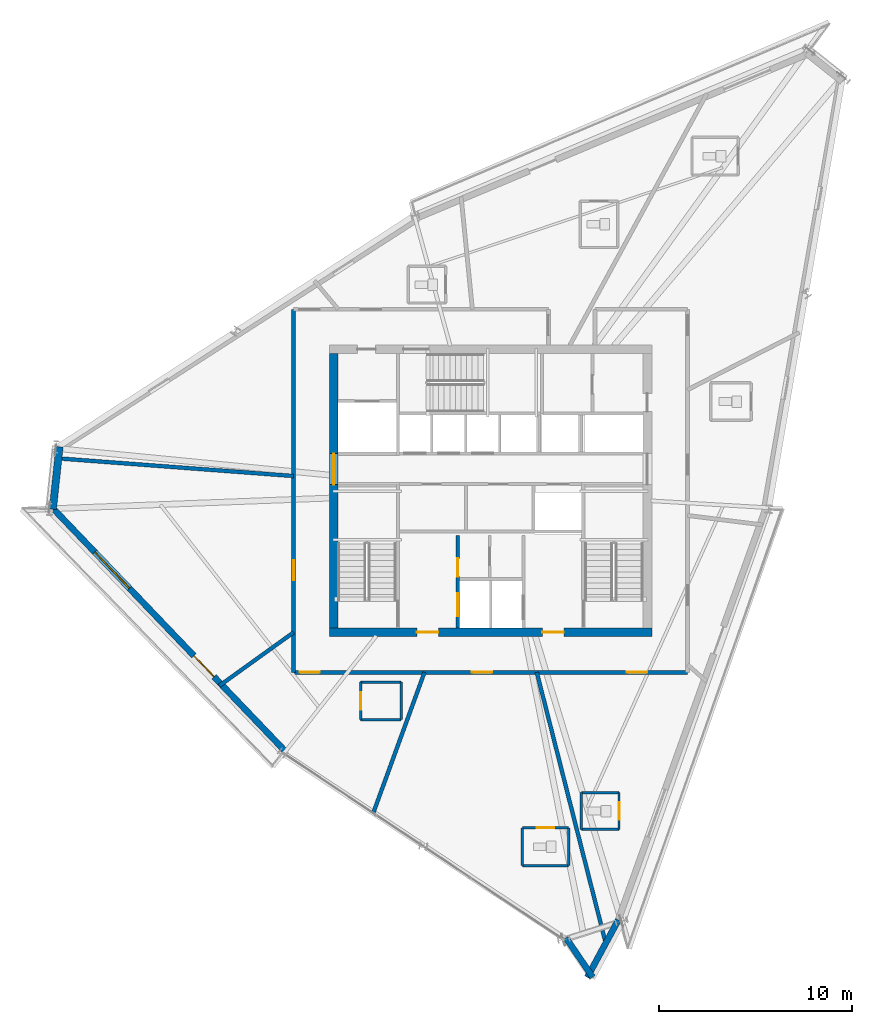
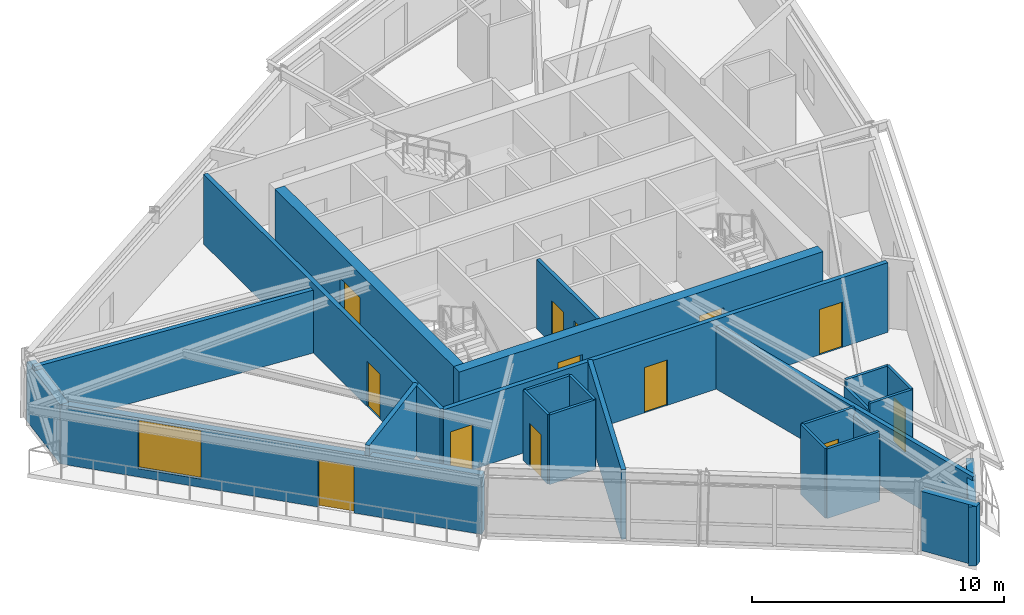
# One storey, part 8 of 15: 25 walls, 13 doors, 1 window, 14 openings.
"""IFC4 building model written with IfcOpenShell, lengths in metres."""

from ifc_helpers import new_model, si_unit, direction, frame, frame_2d, origin, place, context, subcontext, project, spatial, rectangle, extrude, source, transform, mapped, material, layer, layer_set, type_object, type_shapes, element, fill, save


model = new_model("IFC4")

# Units and contexts
model_context = context("Model", 3, precision=1e-05, world=origin(), true_north=direction((0.0, 1.0)))
body_context = subcontext(model_context, "Body", "Model", "MODEL_VIEW")
ifc_project = project(units=[si_unit("LENGTHUNIT", "METRE"), si_unit("AREAUNIT", "SQUARE_METRE"), si_unit("VOLUMEUNIT", "CUBIC_METRE"), si_unit("PLANEANGLEUNIT", "RADIAN"), si_unit("MASSUNIT", "GRAM", prefix="KILO")], contexts=[model_context])

# Site, building, storey
site_placement = place(None, origin())
site = spatial("IfcSite", under=ifc_project, at=site_placement, CompositionType="ELEMENT")
building_placement = place(site_placement, origin())
building = spatial("IfcBuilding", under=site, at=building_placement, Name="Olszyna Solenne Hotel", CompositionType="ELEMENT")
storey_placement = place(building_placement, frame((0.0, 0.0, 245.300048828125)))
storey = spatial("IfcBuildingStorey", under=building, at=storey_placement, Name="L65", CompositionType="ELEMENT", Elevation=245.300048828125)

# Wall, openings, doors
ifc_material_1 = material(Name="Concrete C50/60", Category="concrete")
ifc_layer_1 = layer(ifc_material_1, 0.449951171875, Name="Concrete C50/60")
ifc_layer_set_1 = layer_set([ifc_layer_1], Name="Concrete C50/60")
wall_type_1 = type_object("IfcWallType", Name="WL-CR450", PredefinedType="SHEAR", material=ifc_layer_set_1)
wall_1_placement = place(storey_placement, frame((46.35009765625, 19.27490234375, 0.0), z_axis=(0.0, 0.0, 1.0), x_axis=(-1.0, 0.0, 0.0)))
wall_1 = element("IfcWall", 1, at=wall_1_placement, inside=storey, type_object=wall_type_1, Name="Core shear wall WL-CR450 CRW-L65-S", PredefinedType="SHEAR", context=body_context, shape_type="SweptSolid", body=[
    extrude(rectangle(XDim=16.7001953125, YDim=0.449951171875, at=frame_2d((8.35009765625, 0.0))), origin(), (0.0, 0.0, 1.0), 3.3798828125),
])
opening_1_placement = place(wall_1_placement, frame((4.550048828125, 0.0, 0.0)))
opening_1 = element("IfcOpeningElement", 2, at=opening_1_placement, cuts=wall_1, Name="Opening FL-L65-1", PredefinedType="OPENING", context=body_context, shape_type="SweptSolid", body=[
    extrude(rectangle(XDim=1.1201171875, YDim=2.25, at=frame_2d((0.56005859375, 1.125))), frame((0.0, 0.23486328125, 0.0), z_axis=(0.0, -1.0, 0.0), x_axis=(1.0, 0.0, 0.0)), (0.0, 0.0, 1.0), 0.469970703125),
])
opening_2_placement = place(wall_1_placement, frame((11.050048828125, 0.0, 0.0)))
opening_2 = element("IfcOpeningElement", 3, at=opening_2_placement, cuts=wall_1, Name="Opening FL-L65-2", PredefinedType="OPENING", context=body_context, shape_type="SweptSolid", body=[
    extrude(rectangle(XDim=1.1201171875, YDim=2.25, at=frame_2d((0.56005859375, 1.125))), frame((0.0, 0.23486328125, 0.0), z_axis=(0.0, -1.0, 0.0), x_axis=(1.0, 0.0, 0.0)), (0.0, 0.0, 1.0), 0.469970703125),
])
ifc_material_2 = material(Name="Steel S355J2", Category="steel")
door_type_1 = type_object("IfcDoorType", Name="DR-FL1", OperationType="NOTDEFINED", PredefinedType="DOOR", material=ifc_material_2)
shared_shape_1 = source(origin(), body_context, "Body", "SweptSolid", [
    extrude(rectangle(XDim=1.1201171875, YDim=2.25, at=frame_2d((0.56005859375, 1.125))), frame((0.0, 0.02490234375, 0.0), z_axis=(0.0, -1.0, 0.0), x_axis=(1.0, 0.0, 0.0)), (0.0, 0.0, 1.0), 0.050048828125),
])
type_shapes(door_type_1, [shared_shape_1])
door_1_placement = place(opening_1_placement, origin())
door_1 = element("IfcDoor", 4, at=door_1_placement, inside=storey, type_object=door_type_1, Name="Firefighting lift lobby smoke door FL-L65-1", OperationType="SINGLE_SWING_LEFT", OverallHeight=2.25, OverallWidth=1.1201171875, PredefinedType="DOOR", context=body_context, shape_type="MappedRepresentation", body=[
    mapped(shared_shape_1, transform((0.0, 0.0, 0.0), x_axis=(1.0, 0.0, 0.0), y_axis=(0.0, 1.0, 0.0), z_axis=(0.0, 0.0, 1.0), scale=1.0)),
])
fill(opening_1, door_1)
door_2_placement = place(opening_2_placement, origin())
door_2 = element("IfcDoor", 5, at=door_2_placement, inside=storey, type_object=door_type_1, Name="Firefighting lift lobby smoke door FL-L65-2", OperationType="SINGLE_SWING_RIGHT", OverallHeight=2.25, OverallWidth=1.1201171875, PredefinedType="DOOR", context=body_context, shape_type="MappedRepresentation", body=[
    mapped(shared_shape_1, transform((0.0, 0.0, 0.0), x_axis=(1.0, 0.0, 0.0), y_axis=(0.0, 1.0, 0.0), z_axis=(0.0, 0.0, 1.0), scale=1.0)),
])
fill(opening_2, door_2)

# Wall, opening, door
wall_2_placement = place(storey_placement, frame((29.875, 19.5, 0.0), z_axis=(0.0, 0.0, 1.0), x_axis=(0.0, 1.0, 0.0)))
wall_2 = element("IfcWall", 6, at=wall_2_placement, inside=storey, type_object=wall_type_1, Name="Core shear wall WL-CR450 CRW-L65-W", PredefinedType="SHEAR", context=body_context, shape_type="SweptSolid", body=[
    extrude(rectangle(XDim=14.199951171875, YDim=0.449951171875, at=frame_2d((7.10009765625, 0.0))), origin(), (0.0, 0.0, 1.0), 3.3798828125),
])
opening_3_placement = place(wall_2_placement, frame((7.419921875, 0.0, 0.0)))
opening_3 = element("IfcOpeningElement", 7, at=opening_3_placement, cuts=wall_2, Name="Opening LHD-L65-W", PredefinedType="OPENING", context=body_context, shape_type="SweptSolid", body=[
    extrude(rectangle(XDim=1.60009765625, YDim=2.199951171875, at=frame_2d((0.800048828125, 1.10009765625))), frame((0.0, 0.23486328125, 0.0), z_axis=(0.0, -1.0, 0.0), x_axis=(1.0, 0.0, 0.0)), (0.0, 0.0, 1.0), 0.469970703125),
])
ifc_material_3 = material(Name="Timber hardwood", Category="wood")
door_type_2 = type_object("IfcDoorType", Name="DR-CR1", OperationType="DOUBLE_DOOR_SINGLE_SWING", PredefinedType="DOOR", material=ifc_material_3)
shared_shape_2 = source(origin(), body_context, "Body", "SweptSolid", [
    extrude(rectangle(XDim=1.60009765625, YDim=2.199951171875, at=frame_2d((0.800048828125, 1.10009765625))), frame((0.0, 0.02490234375, 0.0), z_axis=(0.0, -1.0, 0.0), x_axis=(1.0, 0.0, 0.0)), (0.0, 0.0, 1.0), 0.050048828125),
])
type_shapes(door_type_2, [shared_shape_2])
door_3_placement = place(opening_3_placement, origin())
door_3 = element("IfcDoor", 8, at=door_3_placement, inside=storey, type_object=door_type_2, Name="Passenger lift lobby West fire door LHD-L65-W", OperationType="DOUBLE_DOOR_SINGLE_SWING", OverallHeight=2.199951171875, OverallWidth=1.60009765625, PredefinedType="DOOR", context=body_context, shape_type="MappedRepresentation", body=[
    mapped(shared_shape_2, transform((0.0, 0.0, 0.0), x_axis=(1.0, 0.0, 0.0), y_axis=(0.0, 1.0, 0.0), z_axis=(0.0, 0.0, 1.0), scale=1.0)),
])
fill(opening_3, door_3)

# Walls
ifc_material_4 = material(Name="Precast concrete C45/55", Category="concrete")
ifc_layer_2 = layer(ifc_material_4, 0.320068359375, Name="Precast concrete C45/55")
ifc_layer_set_2 = layer_set([ifc_layer_2], Name="Precast concrete C45/55")
wall_type_2 = type_object("IfcWallType", Name="WL-EX320", PredefinedType="SOLIDWALL", material=ifc_layer_set_2)
wall_3_placement = place(storey_placement, frame((44.617919921875, 4.38134765625, 0.0), z_axis=(0.0, 0.0, 1.0), x_axis=(-0.475317706238, -0.879814229333, 0.0)))
element("IfcWall", 9, at=wall_3_placement, inside=storey, type_object=wall_type_2, Name="Exterior terracotta-precast frame wall WL-EX320 EW-L65-02", PredefinedType="SOLIDWALL", context=body_context, shape_type="SweptSolid", body=[
    extrude(rectangle(XDim=3.3818359375, YDim=0.320068359375, at=frame_2d((1.69091796875, 0.0))), origin(), (0.0, 0.0, 1.0), 2.8720703125),
])
wall_4_placement = place(storey_placement, frame((43.28369140625, 1.419921875, 0.0), z_axis=(0.0, 0.0, 1.0), x_axis=(-0.56187146556, 0.82722455004, 0.0)))
element("IfcWall", 10, at=wall_4_placement, inside=storey, type_object=wall_type_2, Name="Exterior terracotta-precast frame wall WL-EX320 EW-L65-03", PredefinedType="SOLIDWALL", context=body_context, shape_type="SweptSolid", body=[
    extrude(rectangle(XDim=2.451904296875, YDim=0.320068359375, at=frame_2d((1.22607421875, 0.0))), origin(), (0.0, 0.0, 1.0), 2.8720703125),
])

# Wall, openings, door, window
wall_5_placement = place(storey_placement, frame((27.338134765625, 13.144287109375, 0.0), z_axis=(0.0, 0.0, 1.0), x_axis=(-0.691178233251, 0.722684336263, 0.0)))
wall_5 = element("IfcWall", 11, at=wall_5_placement, inside=storey, type_object=wall_type_2, Name="Exterior terracotta-precast frame wall WL-EX320 EW-L65-05", PredefinedType="SOLIDWALL", context=body_context, shape_type="SweptSolid", body=[
    extrude(rectangle(XDim=17.473876953125, YDim=0.320068359375, at=frame_2d((8.73681640625, 0.0))), origin(), (0.0, 0.0, 1.0), 2.8720703125),
])
opening_4_placement = place(wall_5_placement, frame((5.2919921875, 0.0, 0.0)))
opening_4 = element("IfcOpeningElement", 12, at=opening_4_placement, cuts=wall_5, Name="Opening LDG-L65-2", PredefinedType="OPENING", context=body_context, shape_type="SweptSolid", body=[
    extrude(rectangle(XDim=1.5, YDim=2.300048828125, at=frame_2d((0.75, 1.14990234375))), frame((0.0, 0.169921875, 0.0), z_axis=(0.0, -1.0, 0.0), x_axis=(1.0, 0.0, 0.0)), (0.0, 0.0, 1.0), 0.340087890625),
])
opening_5_placement = place(wall_5_placement, frame((11.631103515625, 0.0, 0.402099609375)))
opening_5 = element("IfcOpeningElement", 13, at=opening_5_placement, cuts=wall_5, Name="Opening WN-L65-426", PredefinedType="OPENING", context=body_context, shape_type="SweptSolid", body=[
    extrude(rectangle(XDim=2.60009765625, YDim=2.35009765625, at=frame_2d((1.300048828125, 1.175048828125))), frame((0.0, 0.169921875, 0.0), z_axis=(0.0, -1.0, 0.0), x_axis=(1.0, 0.0, 0.0)), (0.0, 0.0, 1.0), 0.340087890625),
])
ifc_material_5 = material(Name="Anodised bronze aluminium", Category="aluminium")
door_type_3 = type_object("IfcDoorType", Name="DR-LG2", OperationType="DOUBLE_DOOR_SINGLE_SWING", PredefinedType="DOOR", material=ifc_material_5)
shared_shape_3 = source(origin(), body_context, "Body", "SweptSolid", [
    extrude(rectangle(XDim=1.5, YDim=2.300048828125, at=frame_2d((0.75, 1.14990234375))), frame((0.0, 0.02490234375, 0.0), z_axis=(0.0, -1.0, 0.0), x_axis=(1.0, 0.0, 0.0)), (0.0, 0.0, 1.0), 0.050048828125),
])
type_shapes(door_type_3, [shared_shape_3])
door_4_placement = place(opening_4_placement, origin())
door_4 = element("IfcDoor", 14, at=door_4_placement, inside=storey, type_object=door_type_3, Name="Exterior loggia balcony door DR-LG2 LDG-L65-2", OperationType="DOUBLE_DOOR_SINGLE_SWING", OverallHeight=2.300048828125, OverallWidth=1.5, PredefinedType="DOOR", context=body_context, shape_type="MappedRepresentation", body=[
    mapped(shared_shape_3, transform((0.0, 0.0, 0.0), x_axis=(1.0, 0.0, 0.0), y_axis=(0.0, 1.0, 0.0), z_axis=(0.0, 0.0, 1.0), scale=1.0)),
])
fill(opening_4, door_4)
ifc_material_6 = material(Name="Low-E triple glazing", Category="glass")
window_type = type_object("IfcWindowType", Name="WN-ST1", PartitioningType="SINGLE_PANEL", PredefinedType="WINDOW", material=ifc_material_6)
shared_shape_4 = source(origin(), body_context, "Body", "SweptSolid", [
    extrude(rectangle(XDim=2.60009765625, YDim=2.35009765625, at=frame_2d((1.300048828125, 1.175048828125))), frame((0.0, 0.030029296875, 0.0), z_axis=(0.0, -1.0, 0.0), x_axis=(1.0, 0.0, 0.0)), (0.0, 0.0, 1.0), 0.06005859375),
])
type_shapes(window_type, [shared_shape_4])
window_placement = place(opening_5_placement, origin())
window = element("IfcWindow", 15, at=window_placement, inside=storey, type_object=window_type, Name="Loggia room window WN-ST1 WN-L65-426", OverallHeight=2.35009765625, OverallWidth=2.60009765625, PartitioningType="SINGLE_PANEL", PredefinedType="WINDOW", context=body_context, shape_type="MappedRepresentation", body=[
    mapped(shared_shape_4, transform((0.0, 0.0, 0.0), x_axis=(1.0, 0.0, 0.0), y_axis=(0.0, 1.0, 0.0), z_axis=(0.0, 0.0, 1.0), scale=1.0)),
])
fill(opening_5, window)

# Walls
ifc_material_7 = material(Name="Terracotta cladding on precast concrete C45/55", Category="masonry")
ifc_layer_3 = layer(ifc_material_7, 0.3798828125, Name="Terracotta cladding on precast concrete C45/55")
ifc_layer_set_3 = layer_set([ifc_layer_3], Name="Terracotta cladding on precast concrete C45/55")
wall_type_3 = type_object("IfcWallType", Name="WL-EX380", PredefinedType="SOLIDWALL", material=ifc_layer_set_3)
wall_6_placement = place(storey_placement, frame((15.333740234375, 25.6416015625, 0.0), z_axis=(0.0, 0.0, 1.0), x_axis=(0.106260010947, 0.994338378055, 0.0)))
element("IfcWall", 16, at=wall_6_placement, inside=storey, type_object=wall_type_3, Name="Exterior terracotta-precast frame wall WL-EX380 EW-L65-06", PredefinedType="SOLIDWALL", context=body_context, shape_type="SweptSolid", body=[
    extrude(rectangle(XDim=3.2509765625, YDim=0.3798828125, at=frame_2d((1.62548828125, 0.0))), origin(), (0.0, 0.0, 1.0), 2.8720703125),
])
ifc_material_8 = material(Name="Acoustic gypsum partition", Category="gypsum")
ifc_layer_4 = layer(ifc_material_8, 0.125, Name="Acoustic gypsum partition")
ifc_layer_set_4 = layer_set([ifc_layer_4], Name="Acoustic gypsum partition")
wall_type_4 = type_object("IfcWallType", Name="WL-PT125", PredefinedType="PARTITIONING", material=ifc_layer_set_4)
wall_7_placement = place(storey_placement, frame((42.0458984375, 7.19091796875, 0.0), z_axis=(0.0, 0.0, 1.0), x_axis=(0.0, 1.0, 0.0)))
element("IfcWall", 17, at=wall_7_placement, inside=storey, type_object=wall_type_4, Name="Interior acoustic partition WL-PT125 PW-L65-3588", PredefinedType="PARTITIONING", context=body_context, shape_type="SweptSolid", body=[
    extrude(rectangle(XDim=1.9501953125, YDim=0.125, at=frame_2d((0.97509765625, 0.0))), origin(), (0.0, 0.0, 1.0), 3.054931640625),
])

# Wall, opening, door
wall_8_placement = place(storey_placement, frame((42.0458984375, 9.14111328125, 0.0), z_axis=(0.0, 0.0, 1.0), x_axis=(-1.0, 0.0, 0.0)))
wall_8 = element("IfcWall", 18, at=wall_8_placement, inside=storey, type_object=wall_type_4, Name="Interior acoustic partition WL-PT125 PW-L65-3589", PredefinedType="PARTITIONING", context=body_context, shape_type="SweptSolid", body=[
    extrude(rectangle(XDim=2.39990234375, YDim=0.125, at=frame_2d((1.199951171875, 0.0))), origin(), (0.0, 0.0, 1.0), 3.3798828125),
])
opening_6_placement = place(wall_8_placement, frame((0.75, 0.0, 0.0)))
opening_6 = element("IfcOpeningElement", 19, at=opening_6_placement, cuts=wall_8, Name="Opening DR-L65-0869", PredefinedType="OPENING", context=body_context, shape_type="SweptSolid", body=[
    extrude(rectangle(XDim=0.89990234375, YDim=2.10009765625, at=frame_2d((0.449951171875, 1.050048828125))), frame((0.0, 0.072509765625, 0.0), z_axis=(0.0, -1.0, 0.0), x_axis=(1.0, 0.0, 0.0)), (0.0, 0.0, 1.0), 0.14501953125),
])
door_type_4 = type_object("IfcDoorType", Name="DR-WC1", OperationType="NOTDEFINED", PredefinedType="DOOR", material=ifc_material_3)
shared_shape_5 = source(origin(), body_context, "Body", "SweptSolid", [
    extrude(rectangle(XDim=0.89990234375, YDim=2.10009765625, at=frame_2d((0.449951171875, 1.050048828125))), frame((0.0, 0.02490234375, 0.0), z_axis=(0.0, -1.0, 0.0), x_axis=(1.0, 0.0, 0.0)), (0.0, 0.0, 1.0), 0.050048828125),
])
type_shapes(door_type_4, [shared_shape_5])
door_5_placement = place(opening_6_placement, origin())
door_5 = element("IfcDoor", 20, at=door_5_placement, inside=storey, type_object=door_type_4, Name="En-Suite Bathroom Door DR-L65-0869", OperationType="SINGLE_SWING_LEFT", OverallHeight=2.10009765625, OverallWidth=0.89990234375, PredefinedType="DOOR", context=body_context, shape_type="MappedRepresentation", body=[
    mapped(shared_shape_5, transform((0.0, 0.0, 0.0), x_axis=(1.0, 0.0, 0.0), y_axis=(0.0, 1.0, 0.0), z_axis=(0.0, 0.0, 1.0), scale=1.0)),
])
fill(opening_6, door_5)

# Walls
wall_9_placement = place(storey_placement, frame((39.64599609375, 9.14111328125, 0.0), z_axis=(0.0, 0.0, 1.0), x_axis=(0.0, -1.0, 0.0)))
element("IfcWall", 21, at=wall_9_placement, inside=storey, type_object=wall_type_4, Name="Interior acoustic partition WL-PT125 PW-L65-3590", PredefinedType="PARTITIONING", context=body_context, shape_type="SweptSolid", body=[
    extrude(rectangle(XDim=1.9501953125, YDim=0.125, at=frame_2d((0.97509765625, 0.0))), origin(), (0.0, 0.0, 1.0), 3.3798828125),
])
wall_10_placement = place(storey_placement, frame((39.64599609375, 7.19091796875, 0.0), z_axis=(0.0, 0.0, 1.0), x_axis=(1.0, 0.0, 0.0)))
element("IfcWall", 22, at=wall_10_placement, inside=storey, type_object=wall_type_4, Name="Interior acoustic partition WL-PT125 PW-L65-3591", PredefinedType="PARTITIONING", context=body_context, shape_type="SweptSolid", body=[
    extrude(rectangle(XDim=2.39990234375, YDim=0.125, at=frame_2d((1.199951171875, 0.0))), origin(), (0.0, 0.0, 1.0), 3.3798828125),
])

# Wall, opening, door
wall_11_placement = place(storey_placement, frame((44.652099609375, 9.06396484375, 0.0), z_axis=(0.0, 0.0, 1.0), x_axis=(0.0, 1.0, 0.0)))
wall_11 = element("IfcWall", 23, at=wall_11_placement, inside=storey, type_object=wall_type_4, Name="Interior acoustic partition WL-PT125 PW-L65-3592", PredefinedType="PARTITIONING", context=body_context, shape_type="SweptSolid", body=[
    extrude(rectangle(XDim=1.900146484375, YDim=0.125, at=frame_2d((0.9501953125, 0.0))), origin(), (0.0, 0.0, 1.0), 3.3798828125),
])
opening_7_placement = place(wall_11_placement, frame((0.5, 0.0, 0.0)))
opening_7 = element("IfcOpeningElement", 24, at=opening_7_placement, cuts=wall_11, Name="Opening DR-L65-0870", PredefinedType="OPENING", context=body_context, shape_type="SweptSolid", body=[
    extrude(rectangle(XDim=0.89990234375, YDim=2.10009765625, at=frame_2d((0.449951171875, 1.050048828125))), frame((0.0, 0.072509765625, 0.0), z_axis=(0.0, -1.0, 0.0), x_axis=(1.0, 0.0, 0.0)), (0.0, 0.0, 1.0), 0.14501953125),
])
door_6_placement = place(opening_7_placement, origin())
door_6 = element("IfcDoor", 25, at=door_6_placement, inside=storey, type_object=door_type_4, Name="En-Suite Bathroom Door DR-L65-0870", OperationType="SINGLE_SWING_RIGHT", OverallHeight=2.10009765625, OverallWidth=0.89990234375, PredefinedType="DOOR", context=body_context, shape_type="MappedRepresentation", body=[
    mapped(shared_shape_5, transform((0.0, 0.0, 0.0), x_axis=(1.0, 0.0, 0.0), y_axis=(0.0, 1.0, 0.0), z_axis=(0.0, 0.0, 1.0), scale=1.0)),
])
fill(opening_7, door_6)

# Walls
wall_12_placement = place(storey_placement, frame((44.652099609375, 10.964111328125, 0.0), z_axis=(0.0, 0.0, 1.0), x_axis=(-1.0, 0.0, 0.0)))
element("IfcWall", 26, at=wall_12_placement, inside=storey, type_object=wall_type_4, Name="Interior acoustic partition WL-PT125 PW-L65-3593", PredefinedType="PARTITIONING", context=body_context, shape_type="SweptSolid", body=[
    extrude(rectangle(XDim=1.9501953125, YDim=0.125, at=frame_2d((0.97509765625, 0.0))), origin(), (0.0, 0.0, 1.0), 3.3798828125),
])
wall_13_placement = place(storey_placement, frame((42.701904296875, 10.964111328125, 0.0), z_axis=(0.0, 0.0, 1.0), x_axis=(0.0, -1.0, 0.0)))
element("IfcWall", 27, at=wall_13_placement, inside=storey, type_object=wall_type_4, Name="Interior acoustic partition WL-PT125 PW-L65-3594", PredefinedType="PARTITIONING", context=body_context, shape_type="SweptSolid", body=[
    extrude(rectangle(XDim=1.900146484375, YDim=0.125, at=frame_2d((0.9501953125, 0.0))), origin(), (0.0, 0.0, 1.0), 3.054931640625),
])
wall_14_placement = place(storey_placement, frame((42.701904296875, 9.06396484375, 0.0), z_axis=(0.0, 0.0, 1.0), x_axis=(1.0, 0.0, 0.0)))
element("IfcWall", 28, at=wall_14_placement, inside=storey, type_object=wall_type_4, Name="Interior acoustic partition WL-PT125 PW-L65-3595", PredefinedType="PARTITIONING", context=body_context, shape_type="SweptSolid", body=[
    extrude(rectangle(XDim=1.9501953125, YDim=0.125, at=frame_2d((0.97509765625, 0.0))), origin(), (0.0, 0.0, 1.0), 3.3798828125),
])
wall_15_placement = place(storey_placement, frame((33.3740234375, 14.7451171875, 0.0), z_axis=(0.0, 0.0, 1.0), x_axis=(0.0, 1.0, 0.0)))
element("IfcWall", 29, at=wall_15_placement, inside=storey, type_object=wall_type_4, Name="Interior acoustic partition WL-PT125 PW-L65-3612", PredefinedType="PARTITIONING", context=body_context, shape_type="SweptSolid", body=[
    extrude(rectangle(XDim=1.949951171875, YDim=0.125, at=frame_2d((0.97509765625, 0.0))), origin(), (0.0, 0.0, 1.0), 3.3798828125),
])
wall_16_placement = place(storey_placement, frame((33.3740234375, 16.695068359375, 0.0), z_axis=(0.0, 0.0, 1.0), x_axis=(-1.0, 0.0, 0.0)))
element("IfcWall", 30, at=wall_16_placement, inside=storey, type_object=wall_type_4, Name="Interior acoustic partition WL-PT125 PW-L65-3613", PredefinedType="PARTITIONING", context=body_context, shape_type="SweptSolid", body=[
    extrude(rectangle(XDim=2.10009765625, YDim=0.125, at=frame_2d((1.050048828125, 0.0))), origin(), (0.0, 0.0, 1.0), 3.3798828125),
])

# Wall, opening, door
wall_17_placement = place(storey_placement, frame((31.27392578125, 16.695068359375, 0.0), z_axis=(0.0, 0.0, 1.0), x_axis=(0.0, -1.0, 0.0)))
wall_17 = element("IfcWall", 31, at=wall_17_placement, inside=storey, type_object=wall_type_4, Name="Interior acoustic partition WL-PT125 PW-L65-3614", PredefinedType="PARTITIONING", context=body_context, shape_type="SweptSolid", body=[
    extrude(rectangle(XDim=1.949951171875, YDim=0.125, at=frame_2d((0.97509765625, 0.0))), origin(), (0.0, 0.0, 1.0), 3.3798828125),
])
opening_8_placement = place(wall_17_placement, frame((0.52490234375, 0.0, 0.0)))
opening_8 = element("IfcOpeningElement", 32, at=opening_8_placement, cuts=wall_17, Name="Opening DR-L65-0875", PredefinedType="OPENING", context=body_context, shape_type="SweptSolid", body=[
    extrude(rectangle(XDim=0.89990234375, YDim=2.10009765625, at=frame_2d((0.449951171875, 1.050048828125))), frame((0.0, 0.072509765625, 0.0), z_axis=(0.0, -1.0, 0.0), x_axis=(1.0, 0.0, 0.0)), (0.0, 0.0, 1.0), 0.14501953125),
])
door_7_placement = place(opening_8_placement, origin())
door_7 = element("IfcDoor", 33, at=door_7_placement, inside=storey, type_object=door_type_4, Name="En-Suite Bathroom Door DR-L65-0875", OperationType="SINGLE_SWING_RIGHT", OverallHeight=2.10009765625, OverallWidth=0.89990234375, PredefinedType="DOOR", context=body_context, shape_type="MappedRepresentation", body=[
    mapped(shared_shape_5, transform((0.0, 0.0, 0.0), x_axis=(1.0, 0.0, 0.0), y_axis=(0.0, 1.0, 0.0), z_axis=(0.0, 0.0, 1.0), scale=1.0)),
])
fill(opening_8, door_7)

# Wall
wall_18_placement = place(storey_placement, frame((31.27392578125, 14.7451171875, 0.0), z_axis=(0.0, 0.0, 1.0), x_axis=(1.0, 0.0, 0.0)))
element("IfcWall", 34, at=wall_18_placement, inside=storey, type_object=wall_type_4, Name="Interior acoustic partition WL-PT125 PW-L65-3615", PredefinedType="PARTITIONING", context=body_context, shape_type="SweptSolid", body=[
    extrude(rectangle(XDim=2.10009765625, YDim=0.125, at=frame_2d((1.050048828125, 0.0))), origin(), (0.0, 0.0, 1.0), 3.3798828125),
])

# Wall, openings, doors
ifc_layer_5 = layer(ifc_material_8, 0.159912109375, Name="Acoustic gypsum partition")
ifc_layer_set_5 = layer_set([ifc_layer_5], Name="Acoustic gypsum partition")
wall_type_5 = type_object("IfcWallType", Name="WL-PT160", PredefinedType="PARTITIONING", material=ifc_layer_set_5)
wall_19_placement = place(storey_placement, frame((36.300048828125, 19.5, 0.0), z_axis=(0.0, 0.0, 1.0), x_axis=(0.0, 1.0, 0.0)))
wall_19 = element("IfcWall", 35, at=wall_19_placement, inside=storey, type_object=wall_type_5, Name="Core shaft compartment wall CW-L65-FF1W", PredefinedType="PARTITIONING", context=body_context, shape_type="SweptSolid", body=[
    extrude(rectangle(XDim=4.780029296875, YDim=0.159912109375, at=frame_2d((2.39013671875, 0.0))), origin(), (0.0, 0.0, 1.0), 3.3798828125),
])
opening_9_placement = place(wall_19_placement, frame((0.60009765625, 0.0, 0.0)))
opening_9 = element("IfcOpeningElement", 36, at=opening_9_placement, cuts=wall_19, Name="Opening LD-L65-FF1", PredefinedType="OPENING", context=body_context, shape_type="SweptSolid", body=[
    extrude(rectangle(XDim=1.199951171875, YDim=2.199951171875, at=frame_2d((0.60009765625, 1.10009765625))), frame((0.0, 0.08984375, 0.0), z_axis=(0.0, -1.0, 0.0), x_axis=(1.0, 0.0, 0.0)), (0.0, 0.0, 1.0), 0.179931640625),
])
opening_10_placement = place(wall_19_placement, frame((2.64990234375, 0.0, 0.0)))
opening_10 = element("IfcOpeningElement", 37, at=opening_10_placement, cuts=wall_19, Name="Opening SVD-L65-SMK", PredefinedType="OPENING", context=body_context, shape_type="SweptSolid", body=[
    extrude(rectangle(XDim=0.949951171875, YDim=2.10009765625, at=frame_2d((0.47509765625, 1.050048828125))), frame((0.0, 0.08984375, 0.0), z_axis=(0.0, -1.0, 0.0), x_axis=(1.0, 0.0, 0.0)), (0.0, 0.0, 1.0), 0.179931640625),
])
door_type_5 = type_object("IfcDoorType", Name="DR-SV1", OperationType="NOTDEFINED", PredefinedType="DOOR", material=ifc_material_2)
shared_shape_6 = source(origin(), body_context, "Body", "SweptSolid", [
    extrude(rectangle(XDim=0.949951171875, YDim=2.10009765625, at=frame_2d((0.47509765625, 1.050048828125))), frame((0.0, 0.02490234375, 0.0), z_axis=(0.0, -1.0, 0.0), x_axis=(1.0, 0.0, 0.0)), (0.0, 0.0, 1.0), 0.050048828125),
])
type_shapes(door_type_5, [shared_shape_6])
door_8_placement = place(opening_10_placement, origin())
door_8 = element("IfcDoor", 38, at=door_8_placement, inside=storey, type_object=door_type_5, Name="Valet and core service room door SVD-L65-SMK", OperationType="SINGLE_SWING_LEFT", OverallHeight=2.10009765625, OverallWidth=0.949951171875, PredefinedType="DOOR", context=body_context, shape_type="MappedRepresentation", body=[
    mapped(shared_shape_6, transform((0.0, 0.0, 0.0), x_axis=(1.0, 0.0, 0.0), y_axis=(0.0, 1.0, 0.0), z_axis=(0.0, 0.0, 1.0), scale=1.0)),
])
fill(opening_10, door_8)
door_type_6 = type_object("IfcDoorType", Name="LD-FF1", OperationType="DOUBLE_DOOR_SLIDING", PredefinedType="DOOR", material=ifc_material_2)
shared_shape_7 = source(origin(), body_context, "Body", "SweptSolid", [
    extrude(rectangle(XDim=1.199951171875, YDim=2.199951171875, at=frame_2d((0.60009765625, 1.10009765625))), frame((0.0, 0.02490234375, 0.0), z_axis=(0.0, -1.0, 0.0), x_axis=(1.0, 0.0, 0.0)), (0.0, 0.0, 1.0), 0.050048828125),
])
type_shapes(door_type_6, [shared_shape_7])
door_9_placement = place(opening_9_placement, origin())
door_9 = element("IfcDoor", 39, at=door_9_placement, inside=storey, type_object=door_type_6, Name="Firefighters lift FF1 sliding landing door LD-L65-FF1", OperationType="DOUBLE_DOOR_SLIDING", OverallHeight=2.199951171875, OverallWidth=1.199951171875, PredefinedType="DOOR", context=body_context, shape_type="MappedRepresentation", body=[
    mapped(shared_shape_7, transform((0.0, 0.0, 0.0), x_axis=(1.0, 0.0, 0.0), y_axis=(0.0, 1.0, 0.0), z_axis=(0.0, 0.0, 1.0), scale=1.0)),
])
fill(opening_9, door_9)

# Walls
ifc_layer_6 = layer(ifc_material_8, 0.199951171875, Name="Acoustic gypsum partition")
ifc_layer_set_6 = layer_set([ifc_layer_6], Name="Acoustic gypsum partition")
wall_type_6 = type_object("IfcWallType", Name="WL-PT200", PredefinedType="PARTITIONING", material=ifc_layer_set_6)
wall_20_placement = place(storey_placement, frame((34.57861328125, 17.199951171875, 0.0), z_axis=(0.0, 0.0, 1.0), x_axis=(-0.342024538429, -0.939691021087, 0.0)))
element("IfcWall", 40, at=wall_20_placement, inside=storey, type_object=wall_type_6, Name="Interior acoustic partition WL-PT200 PW-L65-3578", PredefinedType="PARTITIONING", context=body_context, shape_type="SweptSolid", body=[
    extrude(rectangle(XDim=7.729736328125, YDim=0.199951171875, at=frame_2d((3.86474609375, 0.0))), origin(), (0.0, 0.0, 1.0), 3.3798828125),
])
wall_21_placement = place(storey_placement, frame((40.3935546875, 17.199951171875, 0.0), z_axis=(0.0, 0.0, 1.0), x_axis=(0.246751762968, -0.969078720988, 0.0)))
element("IfcWall", 41, at=wall_21_placement, inside=storey, type_object=wall_type_6, Name="Interior acoustic partition WL-PT200 PW-L65-3579", PredefinedType="PARTITIONING", context=body_context, shape_type="SweptSolid", body=[
    extrude(rectangle(XDim=14.666259765625, YDim=0.199951171875, at=frame_2d((7.3330078125, 0.0))), origin(), (0.0, 0.0, 1.0), 3.054931640625),
])
wall_22_placement = place(storey_placement, frame((27.800048828125, 27.364501953125, 0.0), z_axis=(0.0, 0.0, 1.0), x_axis=(-0.997203941329, 0.074728170043, 0.0)))
element("IfcWall", 42, at=wall_22_placement, inside=storey, type_object=wall_type_6, Name="Interior acoustic partition WL-PT200 PW-L65-3586", PredefinedType="PARTITIONING", context=body_context, shape_type="SweptSolid", body=[
    extrude(rectangle(XDim=12.37890625, YDim=0.199951171875, at=frame_2d((6.189453125, 0.0))), origin(), (0.0, 0.0, 1.0), 3.054931640625),
])
wall_23_placement = place(storey_placement, frame((27.800048828125, 19.2666015625, 0.0), z_axis=(0.0, 0.0, 1.0), x_axis=(-0.811958940091, -0.58371455319, 0.0)))
element("IfcWall", 43, at=wall_23_placement, inside=storey, type_object=wall_type_6, Name="Interior acoustic partition WL-PT200 PW-L65-3587", PredefinedType="PARTITIONING", context=body_context, shape_type="SweptSolid", body=[
    extrude(rectangle(XDim=4.74169921875, YDim=0.199951171875, at=frame_2d((2.370849609375, 0.0))), origin(), (0.0, 0.0, 1.0), 3.3798828125),
])

# Wall, openings, doors
wall_24_placement = place(storey_placement, frame((27.800048828125, 17.199951171875, 0.0), z_axis=(0.0, 0.0, 1.0), x_axis=(1.0, 0.0, 0.0)))
wall_24 = element("IfcWall", 44, at=wall_24_placement, inside=storey, type_object=wall_type_6, Name="Interior acoustic partition WL-PT200 PW-L65-3616", PredefinedType="PARTITIONING", context=body_context, shape_type="SweptSolid", body=[
    extrude(rectangle(XDim=20.39990234375, YDim=0.199951171875, at=frame_2d((10.199951171875, 0.0))), origin(), (0.0, 0.0, 1.0), 3.3798828125),
])
opening_11_placement = place(wall_24_placement, frame((9.22705078125, 0.0, 0.0)))
opening_11 = element("IfcOpeningElement", 45, at=opening_11_placement, cuts=wall_24, Name="Opening DR-L65-0876", PredefinedType="OPENING", context=body_context, shape_type="SweptSolid", body=[
    extrude(rectangle(XDim=1.050048828125, YDim=2.199951171875, at=frame_2d((0.52490234375, 1.10009765625))), frame((0.0, 0.10986328125, 0.0), z_axis=(0.0, -1.0, 0.0), x_axis=(1.0, 0.0, 0.0)), (0.0, 0.0, 1.0), 0.219970703125),
])
opening_12_placement = place(wall_24_placement, frame((17.262939453125, 0.0, 0.0)))
opening_12 = element("IfcOpeningElement", 46, at=opening_12_placement, cuts=wall_24, Name="Opening DR-L65-0877", PredefinedType="OPENING", context=body_context, shape_type="SweptSolid", body=[
    extrude(rectangle(XDim=1.050048828125, YDim=2.199951171875, at=frame_2d((0.52490234375, 1.10009765625))), frame((0.0, 0.10986328125, 0.0), z_axis=(0.0, -1.0, 0.0), x_axis=(1.0, 0.0, 0.0)), (0.0, 0.0, 1.0), 0.219970703125),
])
opening_13_placement = place(wall_24_placement, frame((0.31494140625, 0.0, 0.0)))
opening_13 = element("IfcOpeningElement", 47, at=opening_13_placement, cuts=wall_24, Name="Opening DR-L65-0878", PredefinedType="OPENING", context=body_context, shape_type="SweptSolid", body=[
    extrude(rectangle(XDim=1.050048828125, YDim=2.199951171875, at=frame_2d((0.52490234375, 1.10009765625))), frame((0.0, 0.10986328125, 0.0), z_axis=(0.0, -1.0, 0.0), x_axis=(1.0, 0.0, 0.0)), (0.0, 0.0, 1.0), 0.219970703125),
])
door_type_7 = type_object("IfcDoorType", Name="DR-RM2", OperationType="NOTDEFINED", PredefinedType="DOOR", material=ifc_material_3)
shared_shape_8 = source(origin(), body_context, "Body", "SweptSolid", [
    extrude(rectangle(XDim=1.050048828125, YDim=2.199951171875, at=frame_2d((0.52490234375, 1.10009765625))), frame((0.0, 0.02490234375, 0.0), z_axis=(0.0, -1.0, 0.0), x_axis=(1.0, 0.0, 0.0)), (0.0, 0.0, 1.0), 0.050048828125),
])
type_shapes(door_type_7, [shared_shape_8])
door_10_placement = place(opening_11_placement, origin())
door_10 = element("IfcDoor", 48, at=door_10_placement, inside=storey, type_object=door_type_7, Name="Deluxe Hotel Guestroom Entrance Door DR-L65-0876", OperationType="SINGLE_SWING_RIGHT", OverallHeight=2.199951171875, OverallWidth=1.050048828125, PredefinedType="DOOR", context=body_context, shape_type="MappedRepresentation", body=[
    mapped(shared_shape_8, transform((0.0, 0.0, 0.0), x_axis=(1.0, 0.0, 0.0), y_axis=(0.0, 1.0, 0.0), z_axis=(0.0, 0.0, 1.0), scale=1.0)),
])
fill(opening_11, door_10)
door_11_placement = place(opening_12_placement, origin())
door_11 = element("IfcDoor", 49, at=door_11_placement, inside=storey, type_object=door_type_7, Name="Deluxe Hotel Guestroom Entrance Door DR-L65-0877", OperationType="SINGLE_SWING_LEFT", OverallHeight=2.199951171875, OverallWidth=1.050048828125, PredefinedType="DOOR", context=body_context, shape_type="MappedRepresentation", body=[
    mapped(shared_shape_8, transform((0.0, 0.0, 0.0), x_axis=(1.0, 0.0, 0.0), y_axis=(0.0, 1.0, 0.0), z_axis=(0.0, 0.0, 1.0), scale=1.0)),
])
fill(opening_12, door_11)
door_12_placement = place(opening_13_placement, origin())
door_12 = element("IfcDoor", 50, at=door_12_placement, inside=storey, type_object=door_type_7, Name="Executive Reading Salon Entrance Door DR-L65-0878", OperationType="SINGLE_SWING_LEFT", OverallHeight=2.199951171875, OverallWidth=1.050048828125, PredefinedType="DOOR", context=body_context, shape_type="MappedRepresentation", body=[
    mapped(shared_shape_8, transform((0.0, 0.0, 0.0), x_axis=(1.0, 0.0, 0.0), y_axis=(0.0, 1.0, 0.0), z_axis=(0.0, 0.0, 1.0), scale=1.0)),
])
fill(opening_13, door_12)

# Wall, opening, door
wall_25_placement = place(storey_placement, frame((27.800048828125, 17.199951171875, 0.0), z_axis=(0.0, 0.0, 1.0), x_axis=(0.0, 1.0, 0.0)))
wall_25 = element("IfcWall", 51, at=wall_25_placement, inside=storey, type_object=wall_type_6, Name="Interior acoustic partition WL-PT200 PW-L65-3617", PredefinedType="PARTITIONING", context=body_context, shape_type="SweptSolid", body=[
    extrude(rectangle(XDim=18.800048828125, YDim=0.199951171875, at=frame_2d((9.39990234375, 0.0))), origin(), (0.0, 0.0, 1.0), 3.3798828125),
])
opening_14_placement = place(wall_25_placement, frame((4.763916015625, 0.0, 0.0)))
opening_14 = element("IfcOpeningElement", 52, at=opening_14_placement, cuts=wall_25, Name="Opening DR-L65-0879", PredefinedType="OPENING", context=body_context, shape_type="SweptSolid", body=[
    extrude(rectangle(XDim=1.050048828125, YDim=2.199951171875, at=frame_2d((0.52490234375, 1.10009765625))), frame((0.0, 0.10986328125, 0.0), z_axis=(0.0, -1.0, 0.0), x_axis=(1.0, 0.0, 0.0)), (0.0, 0.0, 1.0), 0.219970703125),
])
door_13_placement = place(opening_14_placement, origin())
door_13 = element("IfcDoor", 53, at=door_13_placement, inside=storey, type_object=door_type_7, Name="Boutique Art Gallery Entrance Door DR-L65-0879", OperationType="SINGLE_SWING_RIGHT", OverallHeight=2.199951171875, OverallWidth=1.050048828125, PredefinedType="DOOR", context=body_context, shape_type="MappedRepresentation", body=[
    mapped(shared_shape_8, transform((0.0, 0.0, 0.0), x_axis=(1.0, 0.0, 0.0), y_axis=(0.0, 1.0, 0.0), z_axis=(0.0, 0.0, 1.0), scale=1.0)),
])
fill(opening_14, door_13)

save(model, "model.ifc")
